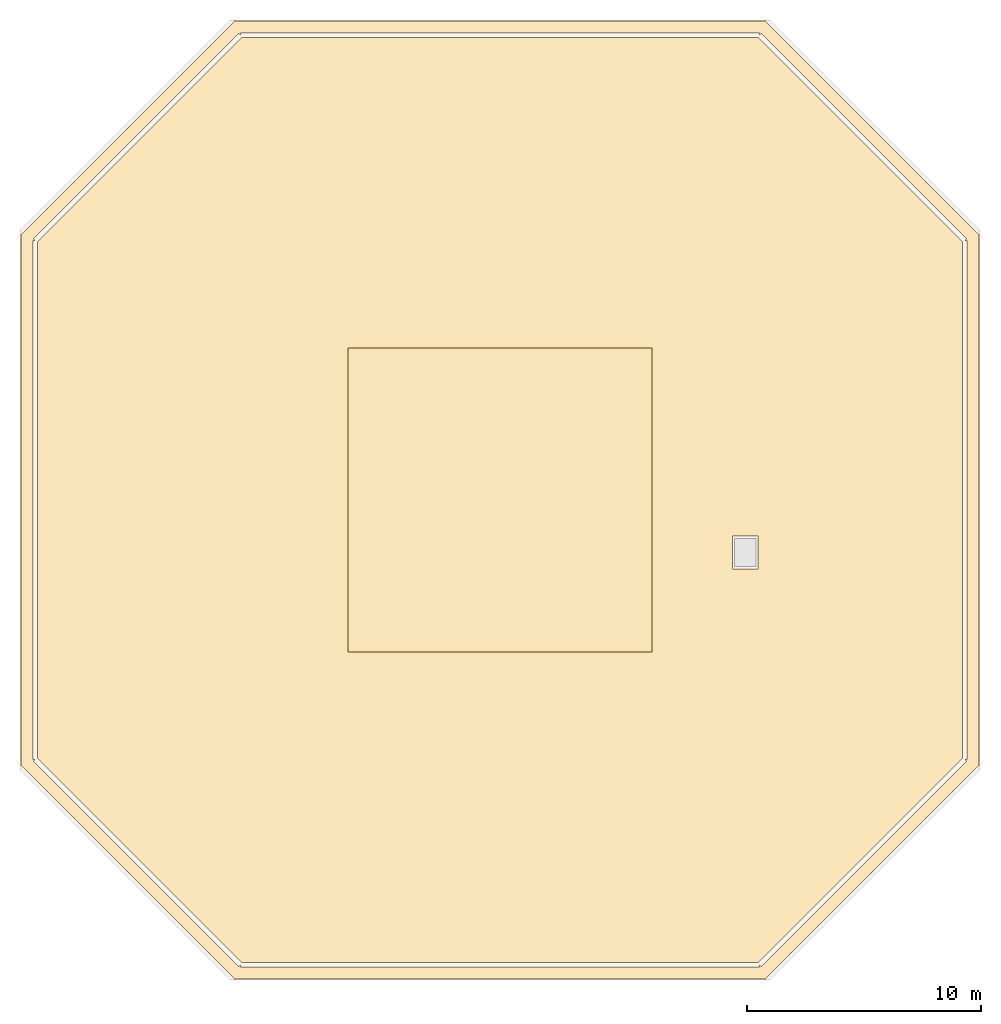
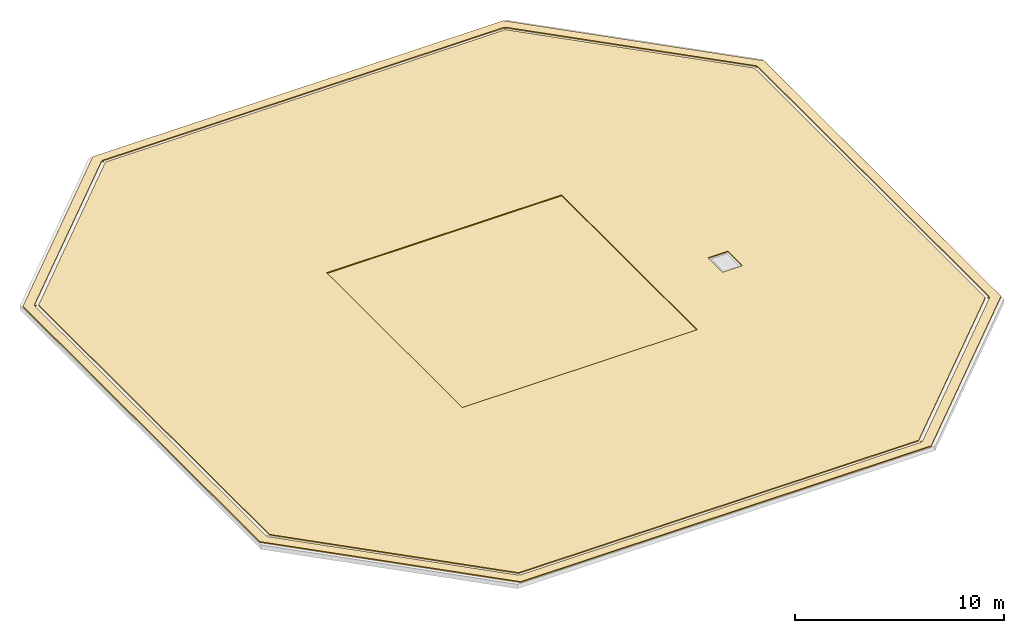
# One storey, part 2 of 2: 2 coverings.
"""IFC4 building model written with IfcOpenShell, lengths in metres."""

from ifc_helpers import new_model, si_unit, direction, frame, origin, place, context, subcontext, project, spatial, line, indexed_curve, outline, extrude, material, layer, layer_set, type_object, element, save


model = new_model("IFC4")

# Units and contexts
model_context = context("Model", 3, precision=1e-05, world=origin(), true_north=direction((0.0, 1.0)))
body_context = subcontext(model_context, "Body", "Model", "MODEL_VIEW")
ifc_project = project(units=[si_unit("LENGTHUNIT", "METRE"), si_unit("AREAUNIT", "SQUARE_METRE"), si_unit("VOLUMEUNIT", "CUBIC_METRE"), si_unit("PLANEANGLEUNIT", "RADIAN"), si_unit("MASSUNIT", "GRAM", prefix="KILO")], contexts=[model_context])

# Site, building, storey
site_placement = place(None, origin())
site = spatial("IfcSite", under=ifc_project, at=site_placement, CompositionType="ELEMENT")
building_placement = place(site_placement, origin())
building = spatial("IfcBuilding", under=site, at=building_placement, Name="Msasa Ring Tower", CompositionType="ELEMENT")
storey_placement = place(building_placement, frame((0.0, 0.0, 274.050048828125)))
storey = spatial("IfcBuildingStorey", under=building, at=storey_placement, Name="ROOF", CompositionType="ELEMENT", Elevation=274.050048828125)

# Coverings
ifc_material_1 = material(Name="Two-layer bitumen membrane under washed gravel ballast", Category="bitumen")
ifc_layer_1 = layer(ifc_material_1, 0.06005859375)
ifc_layer_set_1 = layer_set([ifc_layer_1], Name="RF1 BITUMEN MEMBRANE AND GRAVEL BALLAST ROOF COVERING 60")
covering_type_1 = type_object("IfcCoveringType", Name="RF1 BITUMEN MEMBRANE AND GRAVEL BALLAST ROOF COVERING 60", PredefinedType="ROOFING", material=ifc_layer_set_1)
covering_1_placement = place(storey_placement, origin())
element("IfcCovering", 1, at=covering_1_placement, inside=storey, type_object=covering_type_1, Name="Roof covering on lantern roof", PredefinedType="ROOFING", context=body_context, shape_type="SweptSolid", body=[
    extrude(outline(indexed_curve([(-11.353515625, 20.5), (11.353515625, 20.5), (12.44384765625, 19.40966796875), (12.44384765625, 19.3916015625), (12.4619140625, 19.3916015625), (13.601806640625, 18.251708984375), (13.601806640625, 18.233642578125), (13.6201171875, 18.233642578125), (14.759765625, 17.09375), (14.759765625, 17.07568359375), (14.77783203125, 17.07568359375), (15.889404296875, 15.964111328125), (15.889404296875, 15.946044921875), (15.90771484375, 15.946044921875), (15.946044921875, 15.90771484375), (15.946044921875, 15.889404296875), (15.964111328125, 15.889404296875), (17.07568359375, 14.77783203125), (17.07568359375, 14.759765625), (17.09375, 14.759765625), (18.233642578125, 13.6201171875), (18.233642578125, 13.601806640625), (18.251708984375, 13.601806640625), (19.3916015625, 12.4619140625), (19.3916015625, 12.44384765625), (19.40966796875, 12.44384765625), (20.5, 11.353515625), (20.5, -11.353515625), (19.40966796875, -12.44384765625), (19.3916015625, -12.44384765625), (19.3916015625, -12.4619140625), (18.251708984375, -13.601806640625), (18.233642578125, -13.601806640625), (18.233642578125, -13.6201171875), (17.09375, -14.759765625), (17.07568359375, -14.759765625), (17.07568359375, -14.77783203125), (15.964111328125, -15.889404296875), (15.946044921875, -15.889404296875), (15.946044921875, -15.90771484375), (15.90771484375, -15.946044921875), (15.889404296875, -15.946044921875), (15.889404296875, -15.964111328125), (14.77783203125, -17.07568359375), (14.759765625, -17.07568359375), (14.759765625, -17.09375), (13.619873046875, -18.233642578125), (13.601806640625, -18.233642578125), (13.601806640625, -18.251708984375), (12.490234375, -19.36328125), (12.47216796875, -19.36328125), (12.452880859375, -19.400634765625), (12.47216796875, -19.419921875), (12.452880859375, -19.400634765625), (12.41552734375, -19.419921875), (12.41552734375, -19.43798828125), (11.353515625, -20.5), (-11.353515625, -20.5), (-12.44384765625, -19.40966796875), (-12.44384765625, -19.3916015625), (-12.4619140625, -19.3916015625), (-13.601806640625, -18.251708984375), (-13.601806640625, -18.233642578125), (-13.6201171875, -18.233642578125), (-14.759765625, -17.09375), (-14.759765625, -17.07568359375), (-14.77783203125, -17.07568359375), (-15.889404296875, -15.964111328125), (-15.889404296875, -15.946044921875), (-15.90771484375, -15.946044921875), (-15.946044921875, -15.90771484375), (-15.946044921875, -15.889404296875), (-15.964111328125, -15.889404296875), (-17.07568359375, -14.77783203125), (-17.07568359375, -14.759765625), (-17.09375, -14.759765625), (-18.233642578125, -13.6201171875), (-18.233642578125, -13.601806640625), (-18.251708984375, -13.601806640625), (-19.3916015625, -12.4619140625), (-19.3916015625, -12.44384765625), (-19.40966796875, -12.44384765625), (-20.5, -11.353515625), (-20.5, 11.353515625), (-19.40966796875, 12.44384765625), (-19.3916015625, 12.44384765625), (-19.3916015625, 12.4619140625), (-18.251708984375, 13.601806640625), (-18.233642578125, 13.601806640625), (-18.233642578125, 13.6201171875), (-17.09375, 14.759765625), (-17.07568359375, 14.759765625), (-17.07568359375, 14.77783203125), (-15.964111328125, 15.889404296875), (-15.946044921875, 15.889404296875), (-15.946044921875, 15.90771484375), (-15.90771484375, 15.946044921875), (-15.889404296875, 15.946044921875), (-15.889404296875, 15.964111328125), (-14.77783203125, 17.07568359375), (-14.759765625, 17.07568359375), (-14.759765625, 17.09375), (-13.619873046875, 18.233642578125), (-13.601806640625, 18.233642578125), (-13.601806640625, 18.251708984375), (-12.490234375, 19.36328125), (-12.47216796875, 19.36328125), (-12.452880859375, 19.400634765625), (-12.47216796875, 19.419921875), (-12.452880859375, 19.400634765625), (-12.41552734375, 19.419921875), (-12.41552734375, 19.43798828125)], segments=[line(1, 2, 3, 4, 5, 6, 7, 8, 9, 10, 11, 12, 13, 14, 15, 16, 17, 18, 19, 20, 21, 22, 23, 24, 25, 26, 27, 28, 29, 30, 31, 32, 33, 34, 35, 36, 37, 38, 39, 40, 41, 42, 43, 44, 45, 46, 47, 48, 49, 50, 51, 52, 53, 54, 55, 56, 57, 58, 59, 60, 61, 62, 63, 64, 65, 66, 67, 68, 69, 70, 71, 72, 73, 74, 75, 76, 77, 78, 79, 80, 81, 82, 83, 84, 85, 86, 87, 88, 89, 90, 91, 92, 93, 94, 95, 96, 97, 98, 99, 100, 101, 102, 103, 104, 105, 106, 107, 108, 109, 110, 111, 112, 1)], self_intersect=False), holes=[indexed_curve([(-20.00048828125, -11.10498046875), (-19.89990234375, -11.10498046875), (-19.97119140625, -11.176025390625), (-11.176025390625, -19.97119140625), (-11.10498046875, -19.89990234375), (-11.10498046875, -20.00048828125), (11.10498046875, -20.00048828125), (11.10498046875, -19.89990234375), (11.176025390625, -19.97119140625), (19.97119140625, -11.176025390625), (19.89990234375, -11.10498046875), (20.00048828125, -11.10498046875), (20.00048828125, 11.10498046875), (19.89990234375, 11.10498046875), (19.97119140625, 11.176025390625), (11.176025390625, 19.97119140625), (11.10498046875, 19.89990234375), (11.10498046875, 20.00048828125), (-11.10498046875, 20.00048828125), (-11.10498046875, 19.89990234375), (-11.176025390625, 19.97119140625), (-19.97119140625, 11.176025390625), (-19.89990234375, 11.10498046875), (-20.00048828125, 11.10498046875)], segments=[line(1, 2, 3, 4, 5, 6, 7, 8, 9, 10, 11, 12, 13, 14, 15, 16, 17, 18, 19, 20, 21, 22, 23, 24, 1)], self_intersect=False)]), origin(), (0.0, 0.0, 1.0), 0.06005859375),
    extrude(outline(indexed_curve([(-11.0634765625, 19.799560546875), (11.0634765625, 19.799560546875), (19.799560546875, 11.0634765625), (19.799560546875, -11.0634765625), (11.0634765625, -19.799560546875), (-11.0634765625, -19.799560546875), (-19.799560546875, -11.0634765625), (-19.799560546875, 11.0634765625)], segments=[line(1, 2, 3, 4, 5, 6, 7, 8, 1)], self_intersect=False), holes=[indexed_curve([(6.50048828125, 6.50048828125), (-6.50048828125, 6.50048828125), (-6.50048828125, -6.50048828125), (6.50048828125, -6.50048828125)], segments=[line(1, 2, 3, 4, 1)], self_intersect=False), indexed_curve([(9.949951171875, -1.550048828125), (9.949951171875, -2.949951171875), (11.050048828125, -2.949951171875), (11.050048828125, -1.550048828125)], segments=[line(1, 2, 3, 4, 1)], self_intersect=False)]), origin(), (0.0, 0.0, 1.0), 0.06005859375),
])
ifc_material_2 = material(Name="Liquid-applied polyurethane roof membrane", Category="polyurethane")
ifc_layer_2 = layer(ifc_material_2, 0.0048828125)
ifc_layer_set_2 = layer_set([ifc_layer_2], Name="RF2 LIQUID-APPLIED MEMBRANE ROOF COVERING 5")
covering_type_2 = type_object("IfcCoveringType", Name="RF2 LIQUID-APPLIED MEMBRANE ROOF COVERING 5", PredefinedType="ROOFING", material=ifc_layer_set_2)
covering_2_placement = place(storey_placement, origin())
element("IfcCovering", 2, at=covering_2_placement, inside=storey, type_object=covering_type_2, Name="Roof covering on light well roof", PredefinedType="ROOFING", context=body_context, shape_type="SweptSolid", body=[
    extrude(outline(indexed_curve([(-6.49951171875, -6.49951171875), (-6.49951171875, 6.49951171875), (6.49951171875, 6.49951171875), (6.49951171875, -6.49951171875)], segments=[line(1, 2, 3, 4, 1)], self_intersect=False)), origin(), (0.0, 0.0, 1.0), 0.0048828125),
])

save(model, "model.ifc")
